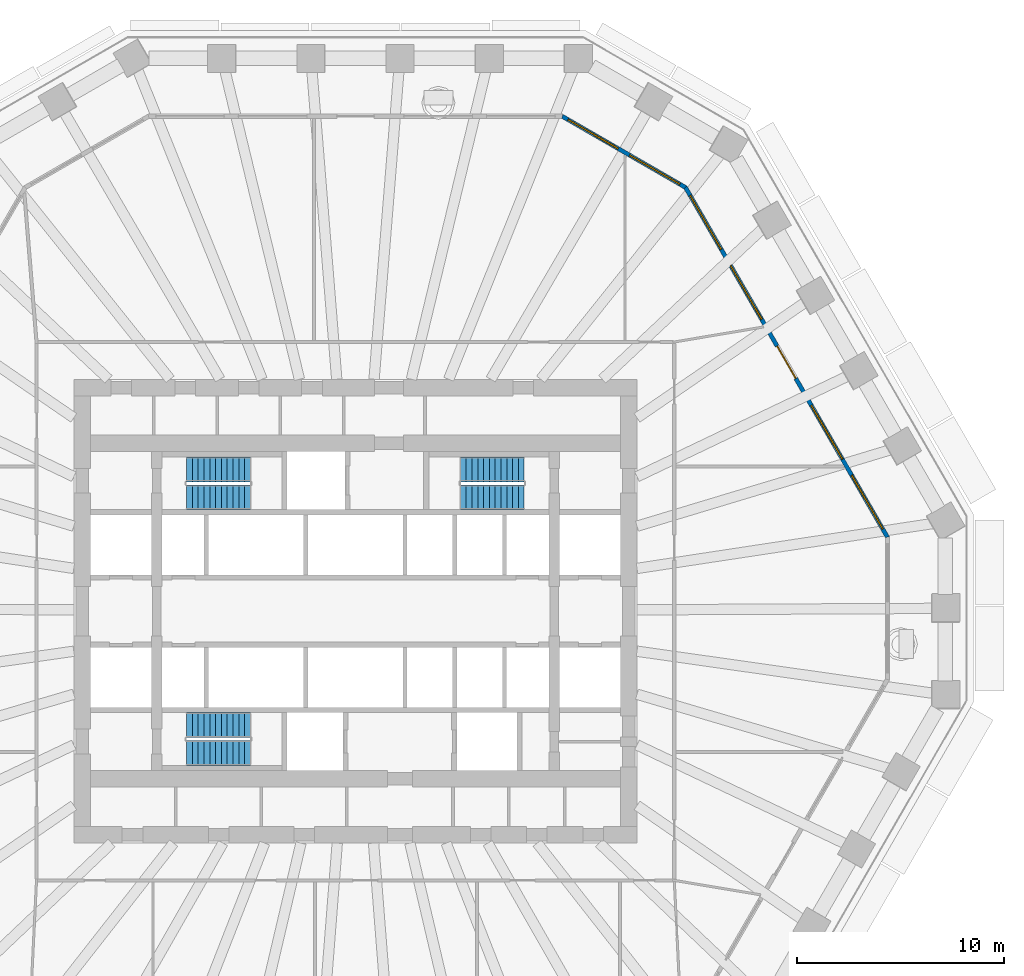
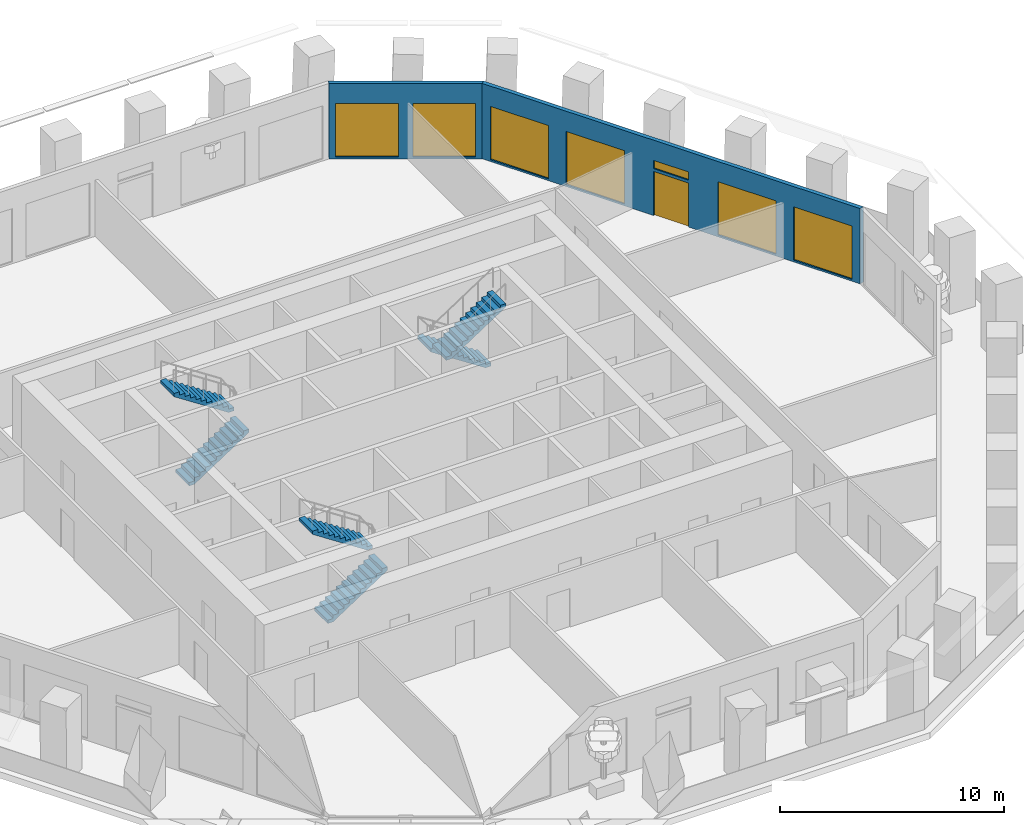
# One storey, part 8 of 12: 7 windows, 6 stair flights, 2 walls, 1 door, 8 openings, 3 elements without a shape of their own.
"""IFC4 building model written with IfcOpenShell, lengths in metres."""

from ifc_helpers import new_model, si_unit, direction, frame, frame_2d, origin, place, context, subcontext, project, spatial, polyline, rectangle, outline, extrude, material, layer, layer_set, type_object, element, fill, aggregate, save


model = new_model("IFC4")

# Units and contexts
model_context = context("Model", 3, precision=1e-05, world=origin(), true_north=direction((0.0, 1.0)))
body_context = subcontext(model_context, "Body", "Model", "MODEL_VIEW")
ifc_project = project(units=[si_unit("LENGTHUNIT", "METRE"), si_unit("AREAUNIT", "SQUARE_METRE"), si_unit("VOLUMEUNIT", "CUBIC_METRE"), si_unit("PLANEANGLEUNIT", "RADIAN"), si_unit("MASSUNIT", "GRAM", prefix="KILO")], contexts=[model_context])

# Site, building, storey
site_placement = place(None, origin())
site = spatial("IfcSite", under=ifc_project, at=site_placement, CompositionType="ELEMENT")
building_placement = place(site_placement, origin())
building = spatial("IfcBuilding", under=site, at=building_placement, Name="Frailejon Research Tower", CompositionType="ELEMENT")
storey_placement = place(building_placement, frame((0.0, 0.0, 85.199951171875)))
storey = spatial("IfcBuildingStorey", under=building, at=storey_placement, Name="L18", CompositionType="ELEMENT", Elevation=85.199951171875)

# Wall, openings, door, windows
ifc_material_1 = material(Name="Concrete C40/50 precast window wall panel", Category="concrete")
ifc_layer_1 = layer(ifc_material_1, 0.199951171875)
ifc_layer_set_1 = layer_set([ifc_layer_1], Name="Window wall 200")
wall_type = type_object("IfcWallType", Name="Window wall 200", PredefinedType="SOLIDWALL", material=ifc_layer_set_1)
wall_1_placement = place(storey_placement, frame((25.692626953125, 3.57568359375, 0.0), z_axis=(0.0, 0.0, 1.0), x_axis=(-0.500002434251, 0.866023998365, 0.0)))
wall_1 = element("IfcWall", 1, at=wall_1_placement, inside=storey, type_object=wall_type, Name="Exterior wall L18", PredefinedType="SOLIDWALL", context=body_context, shape_type="SweptSolid", body=[
    extrude(outline(polyline([(-0.02685546875, -0.10009765625), (1.002197265625, -0.10009765625), (2.031494140625, -0.10009765625), (3.060546875, -0.10009765625), (4.089599609375, -0.10009765625), (5.11865234375, -0.10009765625), (6.14794921875, -0.10009765625), (7.177001953125, -0.10009765625), (8.2060546875, -0.10009765625), (9.235107421875, -0.10009765625), (10.264404296875, -0.10009765625), (11.29345703125, -0.10009765625), (12.322509765625, -0.10009765625), (13.3515625, -0.10009765625), (14.380859375, -0.10009765625), (15.409912109375, -0.10009765625), (16.43896484375, -0.10009765625), (17.468017578125, -0.10009765625), (18.497314453125, -0.10009765625), (19.5263671875, -0.10009765625), (19.47265625, 0.10009765625), (18.44921875, 0.10009765625), (17.42578125, 0.10009765625), (16.40234375, 0.10009765625), (15.37890625, 0.10009765625), (14.355224609375, 0.10009765625), (13.331787109375, 0.10009765625), (12.308349609375, 0.10009765625), (11.284912109375, 0.10009765625), (10.261474609375, 0.10009765625), (9.238037109375, 0.10009765625), (8.214599609375, 0.10009765625), (7.191162109375, 0.10009765625), (6.167724609375, 0.10009765625), (5.144287109375, 0.10009765625), (4.12060546875, 0.10009765625), (3.09716796875, 0.10009765625), (2.07373046875, 0.10009765625), (1.05029296875, 0.10009765625), (0.02685546875, 0.10009765625), (-0.02685546875, -0.10009765625)])), origin(), (0.0, 0.0, 1.0), 4.10009765625),
])
opening_1_placement = place(wall_1_placement, frame((0.449951171875, 0.0, 0.10009765625)))
opening_1 = element("IfcOpeningElement", 2, at=opening_1_placement, cuts=wall_1, Name="Opening W4", PredefinedType="OPENING", context=body_context, shape_type="SweptSolid", body=[
    extrude(rectangle(XDim=3.0, YDim=2.89990234375, at=frame_2d((1.5, 1.449951171875))), frame((0.0, 0.10986328125, 0.0), z_axis=(0.0, -1.0, 0.0), x_axis=(1.0, 0.0, 0.0)), (0.0, 0.0, 1.0), 0.219970703125),
])
opening_2_placement = place(wall_1_placement, frame((4.349853515625, 0.0, 0.10009765625)))
opening_2 = element("IfcOpeningElement", 3, at=opening_2_placement, cuts=wall_1, Name="Opening W4", PredefinedType="OPENING", context=body_context, shape_type="SweptSolid", body=[
    extrude(rectangle(XDim=3.0, YDim=2.89990234375, at=frame_2d((1.5, 1.449951171875))), frame((0.0, 0.10986328125, 0.0), z_axis=(0.0, -1.0, 0.0), x_axis=(1.0, 0.0, 0.0)), (0.0, 0.0, 1.0), 0.219970703125),
])
opening_3_placement = place(wall_1_placement, frame((8.849853515625, 0.0, 0.0)))
opening_3 = element("IfcOpeningElement", 4, at=opening_3_placement, cuts=wall_1, Name="Opening LG18-1", PredefinedType="OPENING", context=body_context, shape_type="SweptSolid", body=[
    extrude(rectangle(XDim=1.800048828125, YDim=2.39990234375, at=frame_2d((0.89990234375, 1.199951171875))), frame((0.0, 0.10986328125, 0.0), z_axis=(0.0, -1.0, 0.0), x_axis=(1.0, 0.0, 0.0)), (0.0, 0.0, 1.0), 0.219970703125),
])
opening_4_placement = place(wall_1_placement, frame((8.849853515625, 0.0, 2.550048828125)))
opening_4 = element("IfcOpeningElement", 5, at=opening_4_placement, cuts=wall_1, Name="Opening W1", PredefinedType="OPENING", context=body_context, shape_type="SweptSolid", body=[
    extrude(rectangle(XDim=1.800048828125, YDim=0.449951171875, at=frame_2d((0.89990234375, 0.22509765625))), frame((0.0, 0.10986328125, 0.0), z_axis=(0.0, -1.0, 0.0), x_axis=(1.0, 0.0, 0.0)), (0.0, 0.0, 1.0), 0.219970703125),
])
opening_5_placement = place(wall_1_placement, frame((12.149658203125, 0.0, 0.10009765625)))
opening_5 = element("IfcOpeningElement", 6, at=opening_5_placement, cuts=wall_1, Name="Opening W4", PredefinedType="OPENING", context=body_context, shape_type="SweptSolid", body=[
    extrude(rectangle(XDim=3.0, YDim=2.89990234375, at=frame_2d((1.5, 1.449951171875))), frame((0.0, 0.10986328125, 0.0), z_axis=(0.0, -1.0, 0.0), x_axis=(1.0, 0.0, 0.0)), (0.0, 0.0, 1.0), 0.219970703125),
])
opening_6_placement = place(wall_1_placement, frame((16.049560546875, 0.0, 0.10009765625)))
opening_6 = element("IfcOpeningElement", 7, at=opening_6_placement, cuts=wall_1, Name="Opening W4", PredefinedType="OPENING", context=body_context, shape_type="SweptSolid", body=[
    extrude(rectangle(XDim=3.0, YDim=2.89990234375, at=frame_2d((1.5, 1.449951171875))), frame((0.0, 0.10986328125, 0.0), z_axis=(0.0, -1.0, 0.0), x_axis=(1.0, 0.0, 0.0)), (0.0, 0.0, 1.0), 0.219970703125),
])
ifc_material_2 = material(Name="Aluminium framed glazed door leaf", Category="aluminium")
door_type = type_object("IfcDoorType", Name="Loggia door 1800x2400", OperationType="DOUBLE_DOOR_SINGLE_SWING", PredefinedType="DOOR", material=ifc_material_2)
door_placement = place(opening_3_placement, origin())
door = element("IfcDoor", 8, at=door_placement, inside=storey, type_object=door_type, Name="Door LG18-1", OperationType="DOUBLE_DOOR_SINGLE_SWING", OverallHeight=2.39990234375, OverallWidth=1.800048828125, PredefinedType="DOOR", context=body_context, shape_type="SweptSolid", body=[
    extrude(rectangle(XDim=1.800048828125, YDim=2.39990234375, at=frame_2d((0.89990234375, 1.199951171875))), frame((0.0, 0.02490234375, 0.0), z_axis=(0.0, -1.0, 0.0), x_axis=(1.0, 0.0, 0.0)), (0.0, 0.0, 1.0), 0.050048828125),
])
fill(opening_3, door)
ifc_material_3 = material(Name="Aluminium framed double glazing", Category="aluminium")
window_type_1 = type_object("IfcWindowType", Name="Window 1800x450", PartitioningType="SINGLE_PANEL", PredefinedType="WINDOW", material=ifc_material_3)
window_1_placement = place(opening_4_placement, origin())
window_1 = element("IfcWindow", 9, at=window_1_placement, inside=storey, type_object=window_type_1, Name="Window L18", OverallHeight=0.449951171875, OverallWidth=1.800048828125, PartitioningType="SINGLE_PANEL", PredefinedType="WINDOW", context=body_context, shape_type="SweptSolid", body=[
    extrude(rectangle(XDim=1.800048828125, YDim=0.449951171875, at=frame_2d((0.89990234375, 0.22509765625))), frame((0.0, 0.030029296875, 0.0), z_axis=(0.0, -1.0, 0.0), x_axis=(1.0, 0.0, 0.0)), (0.0, 0.0, 1.0), 0.06005859375),
])
fill(opening_4, window_1)
ifc_material_4 = material(Name="Aluminium framed double glazing", Category="aluminium")
window_type_2 = type_object("IfcWindowType", Name="Window 3000x2900", PartitioningType="SINGLE_PANEL", PredefinedType="WINDOW", material=ifc_material_4)
window_2_placement = place(opening_1_placement, origin())
window_2 = element("IfcWindow", 10, at=window_2_placement, inside=storey, type_object=window_type_2, Name="Window L18", OverallHeight=2.89990234375, OverallWidth=3.0, PartitioningType="SINGLE_PANEL", PredefinedType="WINDOW", context=body_context, shape_type="SweptSolid", body=[
    extrude(rectangle(XDim=3.0, YDim=2.89990234375, at=frame_2d((1.5, 1.449951171875))), frame((0.0, 0.030029296875, 0.0), z_axis=(0.0, -1.0, 0.0), x_axis=(1.0, 0.0, 0.0)), (0.0, 0.0, 1.0), 0.06005859375),
])
fill(opening_1, window_2)
window_3_placement = place(opening_2_placement, origin())
window_3 = element("IfcWindow", 11, at=window_3_placement, inside=storey, type_object=window_type_2, Name="Window L18", OverallHeight=2.89990234375, OverallWidth=3.0, PartitioningType="SINGLE_PANEL", PredefinedType="WINDOW", context=body_context, shape_type="SweptSolid", body=[
    extrude(rectangle(XDim=3.0, YDim=2.89990234375, at=frame_2d((1.5, 1.449951171875))), frame((0.0, 0.030029296875, 0.0), z_axis=(0.0, -1.0, 0.0), x_axis=(1.0, 0.0, 0.0)), (0.0, 0.0, 1.0), 0.06005859375),
])
fill(opening_2, window_3)
window_4_placement = place(opening_5_placement, origin())
window_4 = element("IfcWindow", 12, at=window_4_placement, inside=storey, type_object=window_type_2, Name="Window L18", OverallHeight=2.89990234375, OverallWidth=3.0, PartitioningType="SINGLE_PANEL", PredefinedType="WINDOW", context=body_context, shape_type="SweptSolid", body=[
    extrude(rectangle(XDim=3.0, YDim=2.89990234375, at=frame_2d((1.5, 1.449951171875))), frame((0.0, 0.030029296875, 0.0), z_axis=(0.0, -1.0, 0.0), x_axis=(1.0, 0.0, 0.0)), (0.0, 0.0, 1.0), 0.06005859375),
])
fill(opening_5, window_4)
window_5_placement = place(opening_6_placement, origin())
window_5 = element("IfcWindow", 13, at=window_5_placement, inside=storey, type_object=window_type_2, Name="Window L18", OverallHeight=2.89990234375, OverallWidth=3.0, PartitioningType="SINGLE_PANEL", PredefinedType="WINDOW", context=body_context, shape_type="SweptSolid", body=[
    extrude(rectangle(XDim=3.0, YDim=2.89990234375, at=frame_2d((1.5, 1.449951171875))), frame((0.0, 0.030029296875, 0.0), z_axis=(0.0, -1.0, 0.0), x_axis=(1.0, 0.0, 0.0)), (0.0, 0.0, 1.0), 0.06005859375),
])
fill(opening_6, window_5)

# Wall, openings, windows
wall_2_placement = place(storey_placement, frame((15.94287109375, 20.462646484375, 0.0), z_axis=(0.0, 0.0, 1.0), x_axis=(-0.866029458321, 0.49999297727, 0.0)))
wall_2 = element("IfcWall", 14, at=wall_2_placement, inside=storey, type_object=wall_type, Name="Exterior wall L18", PredefinedType="SOLIDWALL", context=body_context, shape_type="SweptSolid", body=[
    extrude(outline(polyline([(-0.02685546875, -0.10009765625), (1.1279296875, -0.10009765625), (2.282470703125, -0.10009765625), (3.437255859375, -0.10009765625), (4.592041015625, -0.10009765625), (5.74658203125, -0.10009765625), (6.9013671875, -0.10009765625), (6.84765625, 0.10009765625), (5.7109375, 0.10009765625), (4.573974609375, 0.10009765625), (3.437255859375, 0.10009765625), (2.300537109375, 0.10009765625), (1.16357421875, 0.10009765625), (0.02685546875, 0.10009765625), (-0.02685546875, -0.10009765625)])), origin(), (0.0, 0.0, 1.0), 4.10009765625),
])
opening_7_placement = place(wall_2_placement, frame((0.318603515625, 0.0, 0.10009765625)))
opening_7 = element("IfcOpeningElement", 15, at=opening_7_placement, cuts=wall_2, Name="Opening W3", PredefinedType="OPENING", context=body_context, shape_type="SweptSolid", body=[
    extrude(rectangle(XDim=2.800048828125, YDim=2.89990234375, at=frame_2d((1.39990234375, 1.449951171875))), frame((0.0, 0.10986328125, 0.0), z_axis=(0.0, -1.0, 0.0), x_axis=(1.0, 0.0, 0.0)), (0.0, 0.0, 1.0), 0.219970703125),
])
opening_8_placement = place(wall_2_placement, frame((3.756103515625, 0.0, 0.10009765625)))
opening_8 = element("IfcOpeningElement", 16, at=opening_8_placement, cuts=wall_2, Name="Opening W3", PredefinedType="OPENING", context=body_context, shape_type="SweptSolid", body=[
    extrude(rectangle(XDim=2.800048828125, YDim=2.89990234375, at=frame_2d((1.39990234375, 1.449951171875))), frame((0.0, 0.10986328125, 0.0), z_axis=(0.0, -1.0, 0.0), x_axis=(1.0, 0.0, 0.0)), (0.0, 0.0, 1.0), 0.219970703125),
])
ifc_material_5 = material(Name="Aluminium framed double glazing", Category="aluminium")
window_type_3 = type_object("IfcWindowType", Name="Window 2800x2900", PartitioningType="SINGLE_PANEL", PredefinedType="WINDOW", material=ifc_material_5)
window_6_placement = place(opening_7_placement, origin())
window_6 = element("IfcWindow", 17, at=window_6_placement, inside=storey, type_object=window_type_3, Name="Window L18", OverallHeight=2.89990234375, OverallWidth=2.800048828125, PartitioningType="SINGLE_PANEL", PredefinedType="WINDOW", context=body_context, shape_type="SweptSolid", body=[
    extrude(rectangle(XDim=2.800048828125, YDim=2.89990234375, at=frame_2d((1.39990234375, 1.449951171875))), frame((0.0, 0.030029296875, 0.0), z_axis=(0.0, -1.0, 0.0), x_axis=(1.0, 0.0, 0.0)), (0.0, 0.0, 1.0), 0.06005859375),
])
fill(opening_7, window_6)
window_7_placement = place(opening_8_placement, origin())
window_7 = element("IfcWindow", 18, at=window_7_placement, inside=storey, type_object=window_type_3, Name="Window L18", OverallHeight=2.89990234375, OverallWidth=2.800048828125, PartitioningType="SINGLE_PANEL", PredefinedType="WINDOW", context=body_context, shape_type="SweptSolid", body=[
    extrude(rectangle(XDim=2.800048828125, YDim=2.89990234375, at=frame_2d((1.39990234375, 1.449951171875))), frame((0.0, 0.030029296875, 0.0), z_axis=(0.0, -1.0, 0.0), x_axis=(1.0, 0.0, 0.0)), (0.0, 0.0, 1.0), 0.06005859375),
])
fill(opening_8, window_7)

# Stair, stair flights
ifc_material_6 = material(Name="Concrete C50/60", Category="concrete")
stair_type = type_object("IfcStairType", Name="Exit stair 24 risers", PredefinedType="HALF_TURN_STAIR", material=ifc_material_6)
stair_1_placement = place(storey_placement, origin())
stair_1 = element("IfcStair", 19, at=stair_1_placement, inside=storey, type_object=stair_type, Name="L18 Exit stair ST1", PredefinedType="HALF_TURN_STAIR")
ifc_material_7 = material(Name="Concrete C50/60", Category="concrete")
ifc_layer_2 = layer(ifc_material_7, 0.14990234375)
ifc_layer_set_2 = layer_set([ifc_layer_2], Name="Stair flight 12 risers")
stair_flight_type = type_object("IfcStairFlightType", Name="Stair flight 12 risers", PredefinedType="STRAIGHT", material=ifc_layer_set_2)
stair_flight_1_placement = place(storey_placement, frame((-8.14990234375, 5.5, 0.0), z_axis=(0.0, 0.0, 1.0), x_axis=(1.0, 0.0, 0.0)))
stair_flight_1 = element("IfcStairFlight", 20, at=stair_flight_1_placement, type_object=stair_flight_type, Name="ST1 flight 1", NumberOfRisers=12, NumberOfTreads=11, PredefinedType="STRAIGHT", RiserHeight=0.183333333, TreadLength=0.28, context=body_context, shape_type="SweptSolid", body=[
    extrude(outline(polyline([(0.0, 0.0), (0.0, 0.183349609375), (0.280029296875, 0.183349609375), (0.280029296875, 0.36669921875), (0.56005859375, 0.36669921875), (0.56005859375, 0.550048828125), (0.840087890625, 0.550048828125), (0.840087890625, 0.7333984375), (1.1201171875, 0.7333984375), (1.1201171875, 0.916748046875), (1.39990234375, 0.916748046875), (1.39990234375, 1.10009765625), (1.679931640625, 1.10009765625), (1.679931640625, 1.283447265625), (1.9599609375, 1.283447265625), (1.9599609375, 1.466552734375), (2.239990234375, 1.466552734375), (2.239990234375, 1.64990234375), (2.52001953125, 1.64990234375), (2.52001953125, 1.833251953125), (2.800048828125, 1.833251953125), (2.800048828125, 2.0166015625), (3.080078125, 2.0166015625), (3.080078125, 2.199951171875), (3.080078125, 1.83740234375), (0.273681640625, 0.0), (0.0, 0.0)])), frame((0.0, 0.60009765625, 0.0), z_axis=(0.0, -1.0, 0.0), x_axis=(1.0, 0.0, 0.0)), (0.0, 0.0, 1.0), 1.199951171875),
])
stair_flight_2_placement = place(storey_placement, frame((-5.070068359375, 6.85009765625, 2.199951171875), z_axis=(0.0, 0.0, 1.0), x_axis=(-1.0, 0.0, 0.0)))
stair_flight_2 = element("IfcStairFlight", 21, at=stair_flight_2_placement, type_object=stair_flight_type, Name="ST1 flight 2", NumberOfRisers=12, NumberOfTreads=11, PredefinedType="STRAIGHT", RiserHeight=0.183333333, TreadLength=0.28, context=body_context, shape_type="SweptSolid", body=[
    extrude(outline(polyline([(0.0, 0.0), (0.0, 0.183349609375), (0.280029296875, 0.183349609375), (0.280029296875, 0.36669921875), (0.56005859375, 0.36669921875), (0.56005859375, 0.550048828125), (0.840087890625, 0.550048828125), (0.840087890625, 0.7333984375), (1.1201171875, 0.7333984375), (1.1201171875, 0.916748046875), (1.39990234375, 0.916748046875), (1.39990234375, 1.10009765625), (1.679931640625, 1.10009765625), (1.679931640625, 1.283447265625), (1.9599609375, 1.283447265625), (1.9599609375, 1.466552734375), (2.239990234375, 1.466552734375), (2.239990234375, 1.64990234375), (2.52001953125, 1.64990234375), (2.52001953125, 1.833251953125), (2.800048828125, 1.833251953125), (2.800048828125, 2.0166015625), (3.080078125, 2.0166015625), (3.080078125, 2.199951171875), (3.080078125, 1.83740234375), (0.273681640625, 0.0), (0.0, 0.0)])), frame((0.0, 0.60009765625, 0.0), z_axis=(0.0, -1.0, 0.0), x_axis=(1.0, 0.0, 0.0)), (0.0, 0.0, 1.0), 1.199951171875),
])
aggregate(stair_1, [stair_flight_1, stair_flight_2])

stair_2_placement = place(storey_placement, origin())
stair_2 = element("IfcStair", 22, at=stair_2_placement, inside=storey, type_object=stair_type, Name="L18 Exit stair ST2", PredefinedType="HALF_TURN_STAIR")
stair_flight_3_placement = place(storey_placement, frame((-8.14990234375, -6.85009765625, 0.0), z_axis=(0.0, 0.0, 1.0), x_axis=(1.0, 0.0, 0.0)))
stair_flight_3 = element("IfcStairFlight", 23, at=stair_flight_3_placement, type_object=stair_flight_type, Name="ST2 flight 1", NumberOfRisers=12, NumberOfTreads=11, PredefinedType="STRAIGHT", RiserHeight=0.183333333, TreadLength=0.28, context=body_context, shape_type="SweptSolid", body=[
    extrude(outline(polyline([(0.0, 0.0), (0.0, 0.183349609375), (0.280029296875, 0.183349609375), (0.280029296875, 0.36669921875), (0.56005859375, 0.36669921875), (0.56005859375, 0.550048828125), (0.840087890625, 0.550048828125), (0.840087890625, 0.7333984375), (1.1201171875, 0.7333984375), (1.1201171875, 0.916748046875), (1.39990234375, 0.916748046875), (1.39990234375, 1.10009765625), (1.679931640625, 1.10009765625), (1.679931640625, 1.283447265625), (1.9599609375, 1.283447265625), (1.9599609375, 1.466552734375), (2.239990234375, 1.466552734375), (2.239990234375, 1.64990234375), (2.52001953125, 1.64990234375), (2.52001953125, 1.833251953125), (2.800048828125, 1.833251953125), (2.800048828125, 2.0166015625), (3.080078125, 2.0166015625), (3.080078125, 2.199951171875), (3.080078125, 1.83740234375), (0.273681640625, 0.0), (0.0, 0.0)])), frame((0.0, 0.60009765625, 0.0), z_axis=(0.0, -1.0, 0.0), x_axis=(1.0, 0.0, 0.0)), (0.0, 0.0, 1.0), 1.199951171875),
])
stair_flight_4_placement = place(storey_placement, frame((-5.070068359375, -5.5, 2.199951171875), z_axis=(0.0, 0.0, 1.0), x_axis=(-1.0, 0.0, 0.0)))
stair_flight_4 = element("IfcStairFlight", 24, at=stair_flight_4_placement, type_object=stair_flight_type, Name="ST2 flight 2", NumberOfRisers=12, NumberOfTreads=11, PredefinedType="STRAIGHT", RiserHeight=0.183333333, TreadLength=0.28, context=body_context, shape_type="SweptSolid", body=[
    extrude(outline(polyline([(0.0, 0.0), (0.0, 0.183349609375), (0.280029296875, 0.183349609375), (0.280029296875, 0.36669921875), (0.56005859375, 0.36669921875), (0.56005859375, 0.550048828125), (0.840087890625, 0.550048828125), (0.840087890625, 0.7333984375), (1.1201171875, 0.7333984375), (1.1201171875, 0.916748046875), (1.39990234375, 0.916748046875), (1.39990234375, 1.10009765625), (1.679931640625, 1.10009765625), (1.679931640625, 1.283447265625), (1.9599609375, 1.283447265625), (1.9599609375, 1.466552734375), (2.239990234375, 1.466552734375), (2.239990234375, 1.64990234375), (2.52001953125, 1.64990234375), (2.52001953125, 1.833251953125), (2.800048828125, 1.833251953125), (2.800048828125, 2.0166015625), (3.080078125, 2.0166015625), (3.080078125, 2.199951171875), (3.080078125, 1.83740234375), (0.273681640625, 0.0), (0.0, 0.0)])), frame((0.0, 0.60009765625, 0.0), z_axis=(0.0, -1.0, 0.0), x_axis=(1.0, 0.0, 0.0)), (0.0, 0.0, 1.0), 1.199951171875),
])
aggregate(stair_2, [stair_flight_3, stair_flight_4])

stair_3_placement = place(storey_placement, origin())
stair_3 = element("IfcStair", 25, at=stair_3_placement, inside=storey, type_object=stair_type, Name="L18 Exit stair ST3", PredefinedType="HALF_TURN_STAIR")
stair_flight_5_placement = place(storey_placement, frame((8.14990234375, 6.85009765625, 0.0), z_axis=(0.0, 0.0, 1.0), x_axis=(-1.0, 0.0, 0.0)))
stair_flight_5 = element("IfcStairFlight", 26, at=stair_flight_5_placement, type_object=stair_flight_type, Name="ST3 flight 1", NumberOfRisers=12, NumberOfTreads=11, PredefinedType="STRAIGHT", RiserHeight=0.183333333, TreadLength=0.28, context=body_context, shape_type="SweptSolid", body=[
    extrude(outline(polyline([(0.0, 0.0), (0.0, 0.183349609375), (0.280029296875, 0.183349609375), (0.280029296875, 0.36669921875), (0.56005859375, 0.36669921875), (0.56005859375, 0.550048828125), (0.840087890625, 0.550048828125), (0.840087890625, 0.7333984375), (1.1201171875, 0.7333984375), (1.1201171875, 0.916748046875), (1.39990234375, 0.916748046875), (1.39990234375, 1.10009765625), (1.679931640625, 1.10009765625), (1.679931640625, 1.283447265625), (1.9599609375, 1.283447265625), (1.9599609375, 1.466552734375), (2.239990234375, 1.466552734375), (2.239990234375, 1.64990234375), (2.52001953125, 1.64990234375), (2.52001953125, 1.833251953125), (2.800048828125, 1.833251953125), (2.800048828125, 2.0166015625), (3.080078125, 2.0166015625), (3.080078125, 2.199951171875), (3.080078125, 1.83740234375), (0.273681640625, 0.0), (0.0, 0.0)])), frame((0.0, 0.60009765625, 0.0), z_axis=(0.0, -1.0, 0.0), x_axis=(1.0, 0.0, 0.0)), (0.0, 0.0, 1.0), 1.199951171875),
])
stair_flight_6_placement = place(storey_placement, frame((5.070068359375, 5.5, 2.199951171875), z_axis=(0.0, 0.0, 1.0), x_axis=(1.0, 0.0, 0.0)))
stair_flight_6 = element("IfcStairFlight", 27, at=stair_flight_6_placement, type_object=stair_flight_type, Name="ST3 flight 2", NumberOfRisers=12, NumberOfTreads=11, PredefinedType="STRAIGHT", RiserHeight=0.183333333, TreadLength=0.28, context=body_context, shape_type="SweptSolid", body=[
    extrude(outline(polyline([(0.0, 0.0), (0.0, 0.183349609375), (0.280029296875, 0.183349609375), (0.280029296875, 0.36669921875), (0.56005859375, 0.36669921875), (0.56005859375, 0.550048828125), (0.840087890625, 0.550048828125), (0.840087890625, 0.7333984375), (1.1201171875, 0.7333984375), (1.1201171875, 0.916748046875), (1.39990234375, 0.916748046875), (1.39990234375, 1.10009765625), (1.679931640625, 1.10009765625), (1.679931640625, 1.283447265625), (1.9599609375, 1.283447265625), (1.9599609375, 1.466552734375), (2.239990234375, 1.466552734375), (2.239990234375, 1.64990234375), (2.52001953125, 1.64990234375), (2.52001953125, 1.833251953125), (2.800048828125, 1.833251953125), (2.800048828125, 2.0166015625), (3.080078125, 2.0166015625), (3.080078125, 2.199951171875), (3.080078125, 1.83740234375), (0.273681640625, 0.0), (0.0, 0.0)])), frame((0.0, 0.60009765625, 0.0), z_axis=(0.0, -1.0, 0.0), x_axis=(1.0, 0.0, 0.0)), (0.0, 0.0, 1.0), 1.199951171875),
])
aggregate(stair_3, [stair_flight_5, stair_flight_6])

save(model, "model.ifc")
